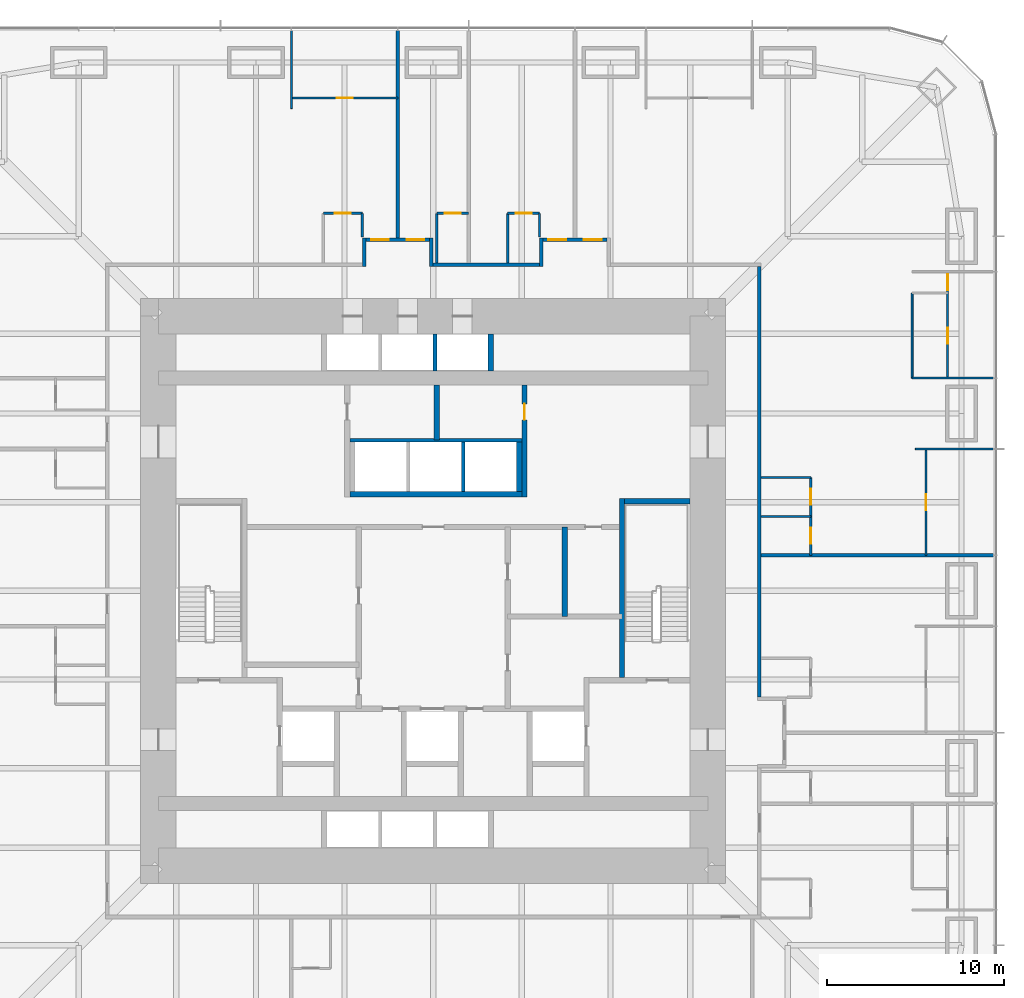
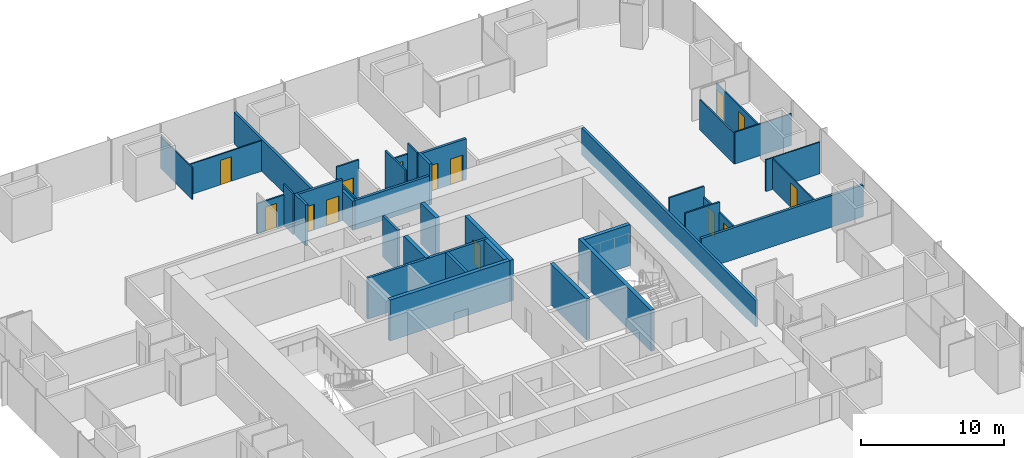
# One storey, part 15 of 17: 37 walls, 14 doors, 14 openings.
"""IFC4 building model written with IfcOpenShell, lengths in metres."""

import ifcopenshell
import ifcopenshell.guid

model = None  # the IFC model being written
_history = None  # IfcOwnerHistory: only IFC2X3 demands one
_inside = {}  # id of a spatial element -> (the spatial element, [elements in it])
_under = {}  # id of a project, library or spatial element -> (it, [spatial elements below it])
_declared = {}  # id of a project -> (the project, [libraries it declares])
_typed = {}  # id of a type object -> (the type object, [elements of that type])
_made_of = {}  # id of a material, layer set ... -> (it, [elements and type objects made of it])


def new_model(schema):
    """Start an empty IFC model of exactly this schema.

    Asked for "IFC4X3", IfcOpenShell would pick the latest addendum, in which some entities
    have other attributes; the version numbers below select the first issue.
    IFC2X3 requires an IfcOwnerHistory on every rooted entity: one is made here for all.
    """
    global model, _history
    if schema == "IFC4X3":
        model = ifcopenshell.file(schema_version=(4, 3, 0, 0))
    else:
        model = ifcopenshell.file(schema=schema)
    _inside.clear()
    _under.clear()
    _declared.clear()
    _typed.clear()
    _made_of.clear()
    _history = None
    if model.schema == "IFC2X3":
        org = make("IfcOrganization", Name="unknown")
        user = make(
            "IfcPersonAndOrganization",
            ThePerson=make("IfcPerson", FamilyName="unknown"),
            TheOrganization=org,
        )
        app = make(
            "IfcApplication",
            ApplicationDeveloper=org,
            Version="unknown",
            ApplicationFullName="unknown",
            ApplicationIdentifier="unknown",
        )
        _history = make(
            "IfcOwnerHistory",
            OwningUser=user,
            OwningApplication=app,
            ChangeAction="ADDED",
            CreationDate=0,
        )
    return model


def make(cls, **values):
    """One entity of the class cls with the attributes given. An attribute that is None is left unset."""
    return model.create_entity(
        cls, **{name: value for name, value in values.items() if value is not None}
    )


def rooted(cls, **values):
    """An entity with a GlobalId (a new one), such as an element, a storey or a relation."""
    return make(cls, GlobalId=ifcopenshell.guid.new(), OwnerHistory=_history, **values)


def si_unit(unit_type, name, prefix=None):
    """IfcSIUnit, for example si_unit("LENGTHUNIT", "METRE", prefix="MILLI")."""
    return make("IfcSIUnit", UnitType=unit_type, Prefix=prefix, Name=name)


def assignment(units):
    """IfcUnitAssignment: the units of a project."""
    return None if units is None else make("IfcUnitAssignment", Units=units)


def point(xyz):
    """IfcCartesianPoint."""
    return None if xyz is None else make("IfcCartesianPoint", Coordinates=xyz)


def direction(xyz):
    """IfcDirection."""
    return None if xyz is None else make("IfcDirection", DirectionRatios=xyz)


def frame(location, z_axis=None, x_axis=None):
    """IfcAxis2Placement3D, a coordinate frame: its origin and axes. An axis left out is left unset."""
    return make(
        "IfcAxis2Placement3D",
        Location=point(location),
        Axis=direction(z_axis),
        RefDirection=direction(x_axis),
    )


def frame_2d(location, x_axis=None):
    """IfcAxis2Placement2D, a coordinate frame in the plane: its origin and x axis."""
    return make(
        "IfcAxis2Placement2D", Location=point(location), RefDirection=direction(x_axis)
    )


def origin():
    """The frame at (0, 0, 0) with its axes left unset."""
    return frame((0.0, 0.0, 0.0))


def place(relative_to, where):
    """IfcLocalPlacement: puts the frame where relative to a parent placement (None: the world)."""
    return make(
        "IfcLocalPlacement", PlacementRelTo=relative_to, RelativePlacement=where
    )


def context(
    kind, dimensions, precision=None, world=None, true_north=None, identifier=None
):
    """IfcGeometricRepresentationContext, for example the 3D "Model" context."""
    return make(
        "IfcGeometricRepresentationContext",
        ContextIdentifier=identifier,
        ContextType=kind,
        CoordinateSpaceDimension=dimensions,
        Precision=precision,
        WorldCoordinateSystem=world,
        TrueNorth=true_north,
    )


def subcontext(parent, identifier, kind, view, scale=None):
    """IfcGeometricRepresentationSubContext, for example "Body" below "Model"."""
    return make(
        "IfcGeometricRepresentationSubContext",
        ContextIdentifier=identifier,
        ContextType=kind,
        ParentContext=parent,
        TargetScale=scale,
        TargetView=view,
    )


def project(units=None, contexts=None):
    """IfcProject with its units and contexts."""
    return rooted(
        "IfcProject",
        Name="project",
        RepresentationContexts=contexts,
        UnitsInContext=assignment(units),
    )


def spatial(cls, under=None, at=None, **own):
    """A site, building, storey or space (cls), placed at a placement, below another one or the project."""
    s = rooted(cls, ObjectPlacement=at, **own)
    if under is not None:
        _under.setdefault(under.id(), (under, []))[1].append(s)
    return s


def profile(cls, at=None, kind="AREA", **sizes):
    """A parametric profile (cls). Its sizes go by their IFC names, for example OverallWidth=200.0."""
    return make(cls, ProfileType=kind, Position=at, **sizes)


def rectangle(**sizes):
    """IfcRectangleProfileDef."""
    return profile("IfcRectangleProfileDef", **sizes)


def extrude(swept, where, along, depth):
    """IfcExtrudedAreaSolid: the profile swept, set in the frame where, extruded along a direction by depth."""
    return make(
        "IfcExtrudedAreaSolid",
        SweptArea=swept,
        Position=where,
        ExtrudedDirection=direction(along),
        Depth=depth,
    )


def shape(context_of_items, identifier, shape_type, items):
    """IfcShapeRepresentation: the items that make up one representation, for example the "Body"."""
    return make(
        "IfcShapeRepresentation",
        ContextOfItems=context_of_items,
        RepresentationIdentifier=identifier,
        RepresentationType=shape_type,
        Items=items,
    )


def material(Name=None, Category=None):
    """IfcMaterial."""
    return make("IfcMaterial", Name=Name, Category=Category)


def layer(
    of_material, thickness, ventilated=None, Name=None, Category=None, Priority=None
):
    """IfcMaterialLayer: one layer of a wall or slab, of a material (None: an air gap)."""
    return make(
        "IfcMaterialLayer",
        Material=of_material,
        LayerThickness=thickness,
        IsVentilated=ventilated,
        Name=Name,
        Category=Category,
        Priority=Priority,
    )


def layer_set(layers, Name=None):
    """IfcMaterialLayerSet."""
    return make("IfcMaterialLayerSet", MaterialLayers=layers, LayerSetName=Name)


def made_of(thing, what):
    """Note that an element or type object is made of a material, layer set ...; save() writes the relation."""
    if what is not None:
        _made_of.setdefault(what.id(), (what, []))[1].append(thing)
    return thing


def type_object(cls, material=None, **own):
    """A type object (cls), such as IfcWallType, which elements share."""
    return made_of(rooted(cls, **own), material)


def element(
    cls,
    number,
    at=None,
    inside=None,
    cuts=None,
    type_object=None,
    material=None,
    context=None,
    identifier="Body",
    shape_type=None,
    held_by="IfcProductDefinitionShape",
    body=None,
    shapes=None,
    **own,
):
    """One element of the class cls, such as IfcWall. Its Tag is "e" and its number.

    at: its placement. inside: the storey or other place that contains it. cuts: it is an
    opening in that element (IfcRelVoidsElement). A single representation is given by context,
    identifier, shape_type and body (its items); several are given by shapes. held_by: the class
    of the entity that holds the representations. save() writes the other relations.
    """
    e = rooted(cls, Tag="e%d" % number, ObjectPlacement=at, **own)
    if body is not None:
        shapes = [shape(context, identifier, shape_type, body)]
    if shapes is not None:
        e.Representation = make(held_by, Representations=shapes)
    if inside is not None:
        _inside.setdefault(inside.id(), (inside, []))[1].append(e)
    if cuts is not None:
        rooted(
            "IfcRelVoidsElement", RelatingBuildingElement=cuts, RelatedOpeningElement=e
        )
    if type_object is not None:
        _typed.setdefault(type_object.id(), (type_object, []))[1].append(e)
    return made_of(e, material)


def fill(opening, filler):
    """IfcRelFillsElement: the door or window that sits in an opening."""
    return rooted(
        "IfcRelFillsElement",
        RelatingOpeningElement=opening,
        RelatedBuildingElement=filler,
    )


def aggregate(whole, parts):
    """IfcRelAggregates: a whole, such as a stair, and the parts it consists of."""
    return rooted("IfcRelAggregates", RelatingObject=whole, RelatedObjects=parts)


def save(model, path):
    """Write the relations noted so far, then the file.

    IfcRelAggregates (storeys below a building ...), IfcRelContainedInSpatialStructure (elements
    in a storey), IfcRelDefinesByType, IfcRelAssociatesMaterial and IfcRelDeclares: one each for
    every whole, place, type object, material and project.
    """
    for whole, parts in _under.values():
        aggregate(whole, parts)
    for where, things in _inside.values():
        rooted(
            "IfcRelContainedInSpatialStructure",
            RelatedElements=things,
            RelatingStructure=where,
        )
    for kind, things in _typed.values():
        rooted("IfcRelDefinesByType", RelatedObjects=things, RelatingType=kind)
    for what, things in _made_of.values():
        rooted("IfcRelAssociatesMaterial", RelatedObjects=things, RelatingMaterial=what)
    for by, libraries in _declared.values():
        rooted("IfcRelDeclares", RelatingContext=by, RelatedDefinitions=libraries)
    model.write(path)


model = new_model("IFC4")

# Units and contexts
model_context = context("Model", 3, precision=1e-05, world=origin(), true_north=direction((0.0, 1.0)))
body_context = subcontext(model_context, "Body", "Model", "MODEL_VIEW")
ifc_project = project(units=[si_unit("LENGTHUNIT", "METRE"), si_unit("AREAUNIT", "SQUARE_METRE"), si_unit("VOLUMEUNIT", "CUBIC_METRE"), si_unit("PLANEANGLEUNIT", "RADIAN"), si_unit("MASSUNIT", "GRAM", prefix="KILO")], contexts=[model_context])

# Site, building, storey
site_placement = place(None, origin())
site = spatial("IfcSite", under=ifc_project, at=site_placement, CompositionType="ELEMENT")
building_placement = place(site_placement, origin())
building = spatial("IfcBuilding", under=site, at=building_placement, Name="Khuree Lantern Residences", CompositionType="ELEMENT")
storey_placement = place(building_placement, frame((0.0, 0.0, 47.25)))
storey = spatial("IfcBuildingStorey", under=building, at=storey_placement, Name="L11", CompositionType="ELEMENT", Elevation=47.25)

# Wall, openings, doors
ifc_material_1 = material(Name="Moisture-resistant gypsum board on steel studs", Category="steel")
ifc_layer_1 = layer(ifc_material_1, 0.125)
ifc_layer_set_1 = layer_set([ifc_layer_1], Name="BATHROOM WALL BTW125")
wall_type_1 = type_object("IfcWallType", Name="BATHROOM WALL BTW125", PredefinedType="PARTITIONING", material=ifc_layer_set_1)
wall_1_placement = place(storey_placement, frame((21.300048828125, 2.0, 0.0), z_axis=(0.0, 0.0, 1.0), x_axis=(0.0, 1.0, 0.0)))
wall_1 = element("IfcWall", 1, at=wall_1_placement, inside=storey, type_object=wall_type_1, Name="L11 BATHROOM WALL 02", PredefinedType="PARTITIONING", context=body_context, shape_type="SweptSolid", body=[
    extrude(rectangle(XDim=4.39990234375, YDim=0.125, at=frame_2d((2.199951171875, 0.0))), origin(), (0.0, 0.0, 1.0), 2.610107421875),
])
opening_1_placement = place(wall_1_placement, frame((0.64990234375, 0.0, 0.0)))
opening_1 = element("IfcOpeningElement", 2, at=opening_1_placement, cuts=wall_1, Name="Opening 11-030", PredefinedType="OPENING", context=body_context, shape_type="SweptSolid", body=[
    extrude(rectangle(XDim=0.89990234375, YDim=2.10009765625, at=frame_2d((0.449951171875, 1.050048828125))), frame((0.0, 0.072509765625, 0.0), z_axis=(0.0, -1.0, 0.0), x_axis=(1.0, 0.0, 0.0)), (0.0, 0.0, 1.0), 0.14501953125),
])
opening_2_placement = place(wall_1_placement, frame((2.85009765625, 0.0, 0.0)))
opening_2 = element("IfcOpeningElement", 3, at=opening_2_placement, cuts=wall_1, Name="Opening 11-031", PredefinedType="OPENING", context=body_context, shape_type="SweptSolid", body=[
    extrude(rectangle(XDim=0.89990234375, YDim=2.10009765625, at=frame_2d((0.449951171875, 1.050048828125))), frame((0.0, 0.072509765625, 0.0), z_axis=(0.0, -1.0, 0.0), x_axis=(1.0, 0.0, 0.0)), (0.0, 0.0, 1.0), 0.14501953125),
])
ifc_material_2 = material(Name="Timber door leaf in hardwood frame", Category="wood")
door_type_1 = type_object("IfcDoorType", Name="BATHROOM DOOR 900X2100", OperationType="SINGLE_SWING_LEFT", PredefinedType="DOOR", material=ifc_material_2)
door_1_placement = place(opening_1_placement, origin())
door_1 = element("IfcDoor", 4, at=door_1_placement, inside=storey, type_object=door_type_1, Name="Bathroom door 11-030", OperationType="SINGLE_SWING_LEFT", OverallHeight=2.10009765625, OverallWidth=0.89990234375, PredefinedType="DOOR", context=body_context, shape_type="SweptSolid", body=[
    extrude(rectangle(XDim=0.89990234375, YDim=2.10009765625, at=frame_2d((0.449951171875, 1.050048828125))), frame((0.0, 0.02490234375, 0.0), z_axis=(0.0, -1.0, 0.0), x_axis=(1.0, 0.0, 0.0)), (0.0, 0.0, 1.0), 0.050048828125),
])
fill(opening_1, door_1)
door_2_placement = place(opening_2_placement, origin())
door_2 = element("IfcDoor", 5, at=door_2_placement, inside=storey, type_object=door_type_1, Name="Bathroom door 11-031", OperationType="SINGLE_SWING_LEFT", OverallHeight=2.10009765625, OverallWidth=0.89990234375, PredefinedType="DOOR", context=body_context, shape_type="SweptSolid", body=[
    extrude(rectangle(XDim=0.89990234375, YDim=2.10009765625, at=frame_2d((0.449951171875, 1.050048828125))), frame((0.0, 0.02490234375, 0.0), z_axis=(0.0, -1.0, 0.0), x_axis=(1.0, 0.0, 0.0)), (0.0, 0.0, 1.0), 0.050048828125),
])
fill(opening_2, door_2)

# Walls
for number, where, z_axis, x_axis, name in (
    (6, (18.5, 4.199951171875, 0.0), (0.0, 0.0, 1.0), (1.0, 0.0, 0.0), "L11 BATHROOM WALL 02"),
    (7, (18.5, 6.39990234375, 0.0), (0.0, 0.0, 1.0), (1.0, 0.0, 0.0), "L11 BATHROOM WALL 02"),
):
    element("IfcWall", number, at=place(storey_placement, frame(where, z_axis=z_axis, x_axis=x_axis)), inside=storey, type_object=wall_type_1, Name=name, PredefinedType="PARTITIONING", context=body_context, shape_type="SweptSolid", body=[
        extrude(rectangle(XDim=2.800048828125, YDim=0.125, at=frame_2d((1.39990234375, 0.0))), origin(), (0.0, 0.0, 1.0), 3.5),
    ])

# Wall, opening, door
wall_2_placement = place(storey_placement, frame((6.0, 21.300048828125, 0.0), z_axis=(0.0, 0.0, 1.0), x_axis=(-1.0, 0.0, 0.0)))
wall_2 = element("IfcWall", 8, at=wall_2_placement, inside=storey, type_object=wall_type_1, Name="L11 BATHROOM WALL 03", PredefinedType="PARTITIONING", context=body_context, shape_type="SweptSolid", body=[
    extrude(rectangle(XDim=1.800048828125, YDim=0.125, at=frame_2d((0.89990234375, 0.0))), origin(), (0.0, 0.0, 1.0), 2.610107421875),
])
opening_3_placement = place(wall_2_placement, frame((0.449951171875, 0.0, 0.0)))
opening_3 = element("IfcOpeningElement", 9, at=opening_3_placement, cuts=wall_2, Name="Opening 11-033", PredefinedType="OPENING", context=body_context, shape_type="SweptSolid", body=[
    extrude(rectangle(XDim=0.89990234375, YDim=2.10009765625, at=frame_2d((0.449951171875, 1.050048828125))), frame((0.0, 0.072509765625, 0.0), z_axis=(0.0, -1.0, 0.0), x_axis=(1.0, 0.0, 0.0)), (0.0, 0.0, 1.0), 0.14501953125),
])
door_3_placement = place(opening_3_placement, origin())
door_3 = element("IfcDoor", 10, at=door_3_placement, inside=storey, type_object=door_type_1, Name="Bathroom door 11-033", OperationType="SINGLE_SWING_LEFT", OverallHeight=2.10009765625, OverallWidth=0.89990234375, PredefinedType="DOOR", context=body_context, shape_type="SweptSolid", body=[
    extrude(rectangle(XDim=0.89990234375, YDim=2.10009765625, at=frame_2d((0.449951171875, 1.050048828125))), frame((0.0, 0.02490234375, 0.0), z_axis=(0.0, -1.0, 0.0), x_axis=(1.0, 0.0, 0.0)), (0.0, 0.0, 1.0), 0.050048828125),
])
fill(opening_3, door_3)

# Walls
wall_3_placement = place(storey_placement, frame((6.0, 19.969970703125, 0.0), z_axis=(0.0, 0.0, 1.0), x_axis=(0.0, 1.0, 0.0)))
element("IfcWall", 11, at=wall_3_placement, inside=storey, type_object=wall_type_1, Name="L11 BATHROOM WALL 03", PredefinedType="PARTITIONING", context=body_context, shape_type="SweptSolid", body=[
    extrude(rectangle(XDim=1.330078125, YDim=0.125, at=frame_2d((0.6650390625, 0.0))), origin(), (0.0, 0.0, 1.0), 3.5),
])
wall_4_placement = place(storey_placement, frame((4.199951171875, 18.5, 0.0), z_axis=(0.0, 0.0, 1.0), x_axis=(0.0, 1.0, 0.0)))
element("IfcWall", 12, at=wall_4_placement, inside=storey, type_object=wall_type_1, Name="L11 BATHROOM WALL 03", PredefinedType="PARTITIONING", context=body_context, shape_type="SweptSolid", body=[
    extrude(rectangle(XDim=2.800048828125, YDim=0.125, at=frame_2d((1.39990234375, 0.0))), origin(), (0.0, 0.0, 1.0), 3.5),
])

# Wall, opening, door
wall_5_placement = place(storey_placement, frame((2.0, 21.300048828125, 0.0), z_axis=(0.0, 0.0, 1.0), x_axis=(-1.0, 0.0, 0.0)))
wall_5 = element("IfcWall", 13, at=wall_5_placement, inside=storey, type_object=wall_type_1, Name="L11 BATHROOM WALL 04", PredefinedType="PARTITIONING", context=body_context, shape_type="SweptSolid", body=[
    extrude(rectangle(XDim=1.800048828125, YDim=0.125, at=frame_2d((0.89990234375, 0.0))), origin(), (0.0, 0.0, 1.0), 3.5),
])
opening_4_placement = place(wall_5_placement, frame((0.449951171875, 0.0, 0.0)))
opening_4 = element("IfcOpeningElement", 14, at=opening_4_placement, cuts=wall_5, Name="Opening 11-035", PredefinedType="OPENING", context=body_context, shape_type="SweptSolid", body=[
    extrude(rectangle(XDim=0.89990234375, YDim=2.10009765625, at=frame_2d((0.449951171875, 1.050048828125))), frame((0.0, 0.072509765625, 0.0), z_axis=(0.0, -1.0, 0.0), x_axis=(1.0, 0.0, 0.0)), (0.0, 0.0, 1.0), 0.14501953125),
])
door_4_placement = place(opening_4_placement, origin())
door_4 = element("IfcDoor", 15, at=door_4_placement, inside=storey, type_object=door_type_1, Name="Bathroom door 11-035", OperationType="SINGLE_SWING_LEFT", OverallHeight=2.10009765625, OverallWidth=0.89990234375, PredefinedType="DOOR", context=body_context, shape_type="SweptSolid", body=[
    extrude(rectangle(XDim=0.89990234375, YDim=2.10009765625, at=frame_2d((0.449951171875, 1.050048828125))), frame((0.0, 0.02490234375, 0.0), z_axis=(0.0, -1.0, 0.0), x_axis=(1.0, 0.0, 0.0)), (0.0, 0.0, 1.0), 0.050048828125),
])
fill(opening_4, door_4)

# Wall
wall_6_placement = place(storey_placement, frame((0.199951171875, 18.5, 0.0), z_axis=(0.0, 0.0, 1.0), x_axis=(0.0, 1.0, 0.0)))
element("IfcWall", 16, at=wall_6_placement, inside=storey, type_object=wall_type_1, Name="L11 BATHROOM WALL 04", PredefinedType="PARTITIONING", context=body_context, shape_type="SweptSolid", body=[
    extrude(rectangle(XDim=2.800048828125, YDim=0.125, at=frame_2d((1.39990234375, 0.0))), origin(), (0.0, 0.0, 1.0), 2.491943359375),
])

# Wall, opening, door
wall_7_placement = place(storey_placement, frame((-4.0, 21.300048828125, 0.0), z_axis=(0.0, 0.0, 1.0), x_axis=(-1.0, 0.0, 0.0)))
wall_7 = element("IfcWall", 17, at=wall_7_placement, inside=storey, type_object=wall_type_1, Name="L11 BATHROOM WALL 05", PredefinedType="PARTITIONING", context=body_context, shape_type="SweptSolid", body=[
    extrude(rectangle(XDim=2.199951171875, YDim=0.125, at=frame_2d((1.10009765625, 0.0))), origin(), (0.0, 0.0, 1.0), 2.610107421875),
])
opening_5_placement = place(wall_7_placement, frame((0.64990234375, 0.0, 0.0)))
opening_5 = element("IfcOpeningElement", 18, at=opening_5_placement, cuts=wall_7, Name="Opening 11-040", PredefinedType="OPENING", context=body_context, shape_type="SweptSolid", body=[
    extrude(rectangle(XDim=0.89990234375, YDim=2.10009765625, at=frame_2d((0.449951171875, 1.050048828125))), frame((0.0, 0.072509765625, 0.0), z_axis=(0.0, -1.0, 0.0), x_axis=(1.0, 0.0, 0.0)), (0.0, 0.0, 1.0), 0.14501953125),
])
door_5_placement = place(opening_5_placement, origin())
door_5 = element("IfcDoor", 19, at=door_5_placement, inside=storey, type_object=door_type_1, Name="Bathroom door 11-040", OperationType="SINGLE_SWING_LEFT", OverallHeight=2.10009765625, OverallWidth=0.89990234375, PredefinedType="DOOR", context=body_context, shape_type="SweptSolid", body=[
    extrude(rectangle(XDim=0.89990234375, YDim=2.10009765625, at=frame_2d((0.449951171875, 1.050048828125))), frame((0.0, 0.02490234375, 0.0), z_axis=(0.0, -1.0, 0.0), x_axis=(1.0, 0.0, 0.0)), (0.0, 0.0, 1.0), 0.050048828125),
])
fill(opening_5, door_5)

# Walls
wall_8_placement = place(storey_placement, frame((-4.0, 19.969970703125, 0.0), z_axis=(0.0, 0.0, 1.0), x_axis=(0.0, 1.0, 0.0)))
element("IfcWall", 20, at=wall_8_placement, inside=storey, type_object=wall_type_1, Name="L11 BATHROOM WALL 05", PredefinedType="PARTITIONING", context=body_context, shape_type="SweptSolid", body=[
    extrude(rectangle(XDim=1.330078125, YDim=0.125, at=frame_2d((0.6650390625, 0.0))), origin(), (0.0, 0.0, 1.0), 3.5),
])
ifc_material_3 = material(Name="Dense concrete blockwork", Category="masonry")
ifc_layer_2 = layer(ifc_material_3, 0.300048828125)
ifc_layer_set_2 = layer_set([ifc_layer_2], Name="CORE PARTITION WALL CPW300 EI 120")
wall_type_2 = type_object("IfcWallType", Name="CORE PARTITION WALL CPW300 EI 120", PredefinedType="PARTITIONING", material=ifc_layer_set_2)
wall_9_placement = place(storey_placement, frame((-4.699951171875, 5.449951171875, 0.0), z_axis=(0.0, 0.0, 1.0), x_axis=(1.0, 0.0, 0.0)))
element("IfcWall", 21, at=wall_9_placement, inside=storey, type_object=wall_type_2, Name="L11 CORE WALL PHS", PredefinedType="PARTITIONING", context=body_context, shape_type="SweptSolid", body=[
    extrude(rectangle(XDim=9.699951171875, YDim=0.300048828125, at=frame_2d((4.85009765625, 0.0))), origin(), (0.0, 0.0, 1.0), 3.5),
])
wall_10_placement = place(storey_placement, frame((4.85009765625, 5.60009765625, 0.0), z_axis=(0.0, 0.0, 1.0), x_axis=(0.0, 1.0, 0.0)))
element("IfcWall", 22, at=wall_10_placement, inside=storey, type_object=wall_type_2, Name="L11 CORE WALL PHE", PredefinedType="PARTITIONING", context=body_context, shape_type="SweptSolid", body=[
    extrude(rectangle(XDim=2.7998046875, YDim=0.300048828125, at=frame_2d((1.39990234375, 0.0))), origin(), (0.0, 0.0, 1.0), 3.5),
])
wall_11_placement = place(storey_placement, frame((3.25, 12.39990234375, 0.0), z_axis=(0.0, 0.0, 1.0), x_axis=(0.0, 1.0, 0.0)))
element("IfcWall", 23, at=wall_11_placement, inside=storey, type_object=wall_type_2, Name="L11 CORE WALL PLE", PredefinedType="PARTITIONING", context=body_context, shape_type="SweptSolid", body=[
    extrude(rectangle(XDim=2.10009765625, YDim=0.300048828125, at=frame_2d((1.050048828125, 0.0))), origin(), (0.0, 0.0, 1.0), 3.5),
])
wall_12_placement = place(storey_placement, frame((7.425048828125, -1.449951171875, 0.0), z_axis=(0.0, 0.0, 1.0), x_axis=(0.0, 1.0, 0.0)))
element("IfcWall", 24, at=wall_12_placement, inside=storey, type_object=wall_type_2, Name="L11 CORE WALL EV", PredefinedType="PARTITIONING", context=body_context, shape_type="SweptSolid", body=[
    extrude(rectangle(XDim=5.050048828125, YDim=0.300048828125, at=frame_2d((2.52490234375, 0.0))), origin(), (0.0, 0.0, 1.0), 3.5),
])

# Wall, opening, door
wall_13_placement = place(storey_placement, frame((5.14990234375, 5.300048828125, 0.0), z_axis=(0.0, 0.0, 1.0), x_axis=(0.0, 1.0, 0.0)))
wall_13 = element("IfcWall", 25, at=wall_13_placement, inside=storey, type_object=wall_type_2, Name="L11 CORE WALL NE", PredefinedType="PARTITIONING", context=body_context, shape_type="SweptSolid", body=[
    extrude(rectangle(XDim=6.300048828125, YDim=0.300048828125, at=frame_2d((3.14990234375, 0.0))), origin(), (0.0, 0.0, 1.0), 3.5),
])
opening_6_placement = place(wall_13_placement, frame((4.35009765625, 0.0, 0.0)))
opening_6 = element("IfcOpeningElement", 26, at=opening_6_placement, cuts=wall_13, Name="Opening 11-022", PredefinedType="OPENING", context=body_context, shape_type="SweptSolid", body=[
    extrude(rectangle(XDim=0.89990234375, YDim=2.10009765625, at=frame_2d((0.449951171875, 1.050048828125))), frame((0.0, 0.16015625, 0.0), z_axis=(0.0, -1.0, 0.0), x_axis=(1.0, 0.0, 0.0)), (0.0, 0.0, 1.0), 0.320068359375),
])
door_type_2 = type_object("IfcDoorType", Name="DOOR 900X2100", OperationType="SINGLE_SWING_LEFT", PredefinedType="DOOR", material=ifc_material_2)
door_6_placement = place(opening_6_placement, origin())
door_6 = element("IfcDoor", 27, at=door_6_placement, inside=storey, type_object=door_type_2, Name="Refuse holding room door 11-022", OperationType="SINGLE_SWING_LEFT", OverallHeight=2.10009765625, OverallWidth=0.89990234375, PredefinedType="DOOR", context=body_context, shape_type="SweptSolid", body=[
    extrude(rectangle(XDim=0.89990234375, YDim=2.10009765625, at=frame_2d((0.449951171875, 1.050048828125))), frame((0.0, 0.02490234375, 0.0), z_axis=(0.0, -1.0, 0.0), x_axis=(1.0, 0.0, 0.0)), (0.0, 0.0, 1.0), 0.050048828125),
])
fill(opening_6, door_6)

# Walls
wall_14_placement = place(storey_placement, frame((0.199951171875, 8.5, 0.0), z_axis=(0.0, 0.0, 1.0), x_axis=(0.0, 1.0, 0.0)))
element("IfcWall", 28, at=wall_14_placement, inside=storey, type_object=wall_type_2, Name="L11 CORE WALL NX", PredefinedType="PARTITIONING", context=body_context, shape_type="SweptSolid", body=[
    extrude(rectangle(XDim=3.10009765625, YDim=0.300048828125, at=frame_2d((1.550048828125, 0.0))), origin(), (0.0, 0.0, 1.0), 3.5),
])
ifc_material_4 = material(Name="Gypsum board on steel studs", Category="steel")
ifc_layer_3 = layer(ifc_material_4, 0.199951171875)
ifc_layer_set_3 = layer_set([ifc_layer_3], Name="CORRIDOR WALL CRW200 EI 60")
wall_type_3 = type_object("IfcWallType", Name="CORRIDOR WALL CRW200 EI 60", PredefinedType="PARTITIONING", material=ifc_layer_set_3)
wall_15_placement = place(storey_placement, frame((18.39990234375, -6.0, 0.0), z_axis=(0.0, 0.0, 1.0), x_axis=(0.0, 1.0, 0.0)))
element("IfcWall", 29, at=wall_15_placement, inside=storey, type_object=wall_type_3, Name="L11 CORRIDOR WALL EAST 2", PredefinedType="PARTITIONING", context=body_context, shape_type="SweptSolid", body=[
    extrude(rectangle(XDim=24.300048828125, YDim=0.199951171875, at=frame_2d((12.14990234375, 0.0))), origin(), (0.0, 0.0, 1.0), 2.300048828125),
])
wall_16_placement = place(storey_placement, frame((-3.89990234375, 18.300048828125, 0.0), z_axis=(0.0, 0.0, 1.0), x_axis=(0.0, 1.0, 0.0)))
element("IfcWall", 30, at=wall_16_placement, inside=storey, type_object=wall_type_3, Name="L11 CORRIDOR ALCOVE WALL NORTH", PredefinedType="PARTITIONING", context=body_context, shape_type="SweptSolid", body=[
    extrude(rectangle(XDim=1.599853515625, YDim=0.199951171875, at=frame_2d((0.7998046875, 0.0))), origin(), (0.0, 0.0, 1.0), 3.5),
])
wall_17_placement = place(storey_placement, frame((-0.10009765625, 18.300048828125, 0.0), z_axis=(0.0, 0.0, 1.0), x_axis=(0.0, 1.0, 0.0)))
element("IfcWall", 31, at=wall_17_placement, inside=storey, type_object=wall_type_3, Name="L11 CORRIDOR ALCOVE WALL NORTH", PredefinedType="PARTITIONING", context=body_context, shape_type="SweptSolid", body=[
    extrude(rectangle(XDim=1.599853515625, YDim=0.199951171875, at=frame_2d((0.7998046875, 0.0))), origin(), (0.0, 0.0, 1.0), 2.491943359375),
])

# Wall, openings, doors
wall_18_placement = place(storey_placement, frame((-3.800048828125, 19.800048828125, 0.0), z_axis=(0.0, 0.0, 1.0), x_axis=(1.0, 0.0, 0.0)))
wall_18 = element("IfcWall", 32, at=wall_18_placement, inside=storey, type_object=wall_type_3, Name="L11 CORRIDOR ALCOVE WALL NORTH", PredefinedType="PARTITIONING", context=body_context, shape_type="SweptSolid", body=[
    extrude(rectangle(XDim=3.60009765625, YDim=0.199951171875, at=frame_2d((1.800048828125, 0.0))), origin(), (0.0, 0.0, 1.0), 3.5),
])
opening_7_placement = place(wall_18_placement, frame((2.300048828125, 0.0, 0.0)))
opening_7 = element("IfcOpeningElement", 33, at=opening_7_placement, cuts=wall_18, Name="Opening 11-036", PredefinedType="OPENING", context=body_context, shape_type="SweptSolid", body=[
    extrude(rectangle(XDim=1.0, YDim=2.199951171875, at=frame_2d((0.5, 1.10009765625))), frame((0.0, 0.10986328125, 0.0), z_axis=(0.0, -1.0, 0.0), x_axis=(1.0, 0.0, 0.0)), (0.0, 0.0, 1.0), 0.219970703125),
])
opening_8_placement = place(wall_18_placement, frame((0.300048828125, 0.0, 0.0)))
opening_8 = element("IfcOpeningElement", 34, at=opening_8_placement, cuts=wall_18, Name="Opening 11-041", PredefinedType="OPENING", context=body_context, shape_type="SweptSolid", body=[
    extrude(rectangle(XDim=1.0, YDim=2.199951171875, at=frame_2d((0.5, 1.10009765625))), frame((0.0, 0.10986328125, 0.0), z_axis=(0.0, -1.0, 0.0), x_axis=(1.0, 0.0, 0.0)), (0.0, 0.0, 1.0), 0.219970703125),
])
door_type_3 = type_object("IfcDoorType", Name="APARTMENT ENTRANCE DOOR 1000X2200 EI 30S", OperationType="SINGLE_SWING_LEFT", PredefinedType="DOOR", material=ifc_material_2)
door_7_placement = place(opening_7_placement, origin())
door_7 = element("IfcDoor", 35, at=door_7_placement, inside=storey, type_object=door_type_3, Name="Apartment 04 entrance door 11-036", OperationType="SINGLE_SWING_LEFT", OverallHeight=2.199951171875, OverallWidth=1.0, PredefinedType="DOOR", context=body_context, shape_type="SweptSolid", body=[
    extrude(rectangle(XDim=1.0, YDim=2.199951171875, at=frame_2d((0.5, 1.10009765625))), frame((0.0, 0.02490234375, 0.0), z_axis=(0.0, -1.0, 0.0), x_axis=(1.0, 0.0, 0.0)), (0.0, 0.0, 1.0), 0.050048828125),
])
fill(opening_7, door_7)
door_8_placement = place(opening_8_placement, origin())
door_8 = element("IfcDoor", 36, at=door_8_placement, inside=storey, type_object=door_type_3, Name="Apartment 05 entrance door 11-041", OperationType="SINGLE_SWING_LEFT", OverallHeight=2.199951171875, OverallWidth=1.0, PredefinedType="DOOR", context=body_context, shape_type="SweptSolid", body=[
    extrude(rectangle(XDim=1.0, YDim=2.199951171875, at=frame_2d((0.5, 1.10009765625))), frame((0.0, 0.02490234375, 0.0), z_axis=(0.0, -1.0, 0.0), x_axis=(1.0, 0.0, 0.0)), (0.0, 0.0, 1.0), 0.050048828125),
])
fill(opening_8, door_8)

# Walls
wall_19_placement = place(storey_placement, frame((0.0, 18.39990234375, 0.0), z_axis=(0.0, 0.0, 1.0), x_axis=(1.0, 0.0, 0.0)))
element("IfcWall", 37, at=wall_19_placement, inside=storey, type_object=wall_type_3, Name="L11 CORRIDOR WALL NORTH 2", PredefinedType="PARTITIONING", context=body_context, shape_type="SweptSolid", body=[
    extrude(rectangle(XDim=6.0, YDim=0.199951171875, at=frame_2d((3.0, 0.0))), origin(), (0.0, 0.0, 1.0), 2.491943359375),
])
wall_20_placement = place(storey_placement, frame((6.10009765625, 18.300048828125, 0.0), z_axis=(0.0, 0.0, 1.0), x_axis=(0.0, 1.0, 0.0)))
element("IfcWall", 38, at=wall_20_placement, inside=storey, type_object=wall_type_3, Name="L11 CORRIDOR ALCOVE WALL NORTH", PredefinedType="PARTITIONING", context=body_context, shape_type="SweptSolid", body=[
    extrude(rectangle(XDim=1.599853515625, YDim=0.199951171875, at=frame_2d((0.7998046875, 0.0))), origin(), (0.0, 0.0, 1.0), 3.5),
])

# Wall, openings, doors
wall_21_placement = place(storey_placement, frame((6.199951171875, 19.800048828125, 0.0), z_axis=(0.0, 0.0, 1.0), x_axis=(1.0, 0.0, 0.0)))
wall_21 = element("IfcWall", 39, at=wall_21_placement, inside=storey, type_object=wall_type_3, Name="L11 CORRIDOR ALCOVE WALL NORTH", PredefinedType="PARTITIONING", context=body_context, shape_type="SweptSolid", body=[
    extrude(rectangle(XDim=3.60009765625, YDim=0.199951171875, at=frame_2d((1.800048828125, 0.0))), origin(), (0.0, 0.0, 1.0), 3.5),
])
opening_9_placement = place(wall_21_placement, frame((2.300048828125, 0.0, 0.0)))
opening_9 = element("IfcOpeningElement", 40, at=opening_9_placement, cuts=wall_21, Name="Opening 11-032", PredefinedType="OPENING", context=body_context, shape_type="SweptSolid", body=[
    extrude(rectangle(XDim=1.0, YDim=2.199951171875, at=frame_2d((0.5, 1.10009765625))), frame((0.0, 0.10986328125, 0.0), z_axis=(0.0, -1.0, 0.0), x_axis=(1.0, 0.0, 0.0)), (0.0, 0.0, 1.0), 0.219970703125),
])
opening_10_placement = place(wall_21_placement, frame((0.300048828125, 0.0, 0.0)))
opening_10 = element("IfcOpeningElement", 41, at=opening_10_placement, cuts=wall_21, Name="Opening 11-034", PredefinedType="OPENING", context=body_context, shape_type="SweptSolid", body=[
    extrude(rectangle(XDim=1.0, YDim=2.199951171875, at=frame_2d((0.5, 1.10009765625))), frame((0.0, 0.10986328125, 0.0), z_axis=(0.0, -1.0, 0.0), x_axis=(1.0, 0.0, 0.0)), (0.0, 0.0, 1.0), 0.219970703125),
])
door_9_placement = place(opening_9_placement, origin())
door_9 = element("IfcDoor", 42, at=door_9_placement, inside=storey, type_object=door_type_3, Name="Apartment 02 entrance door 11-032", OperationType="SINGLE_SWING_LEFT", OverallHeight=2.199951171875, OverallWidth=1.0, PredefinedType="DOOR", context=body_context, shape_type="SweptSolid", body=[
    extrude(rectangle(XDim=1.0, YDim=2.199951171875, at=frame_2d((0.5, 1.10009765625))), frame((0.0, 0.02490234375, 0.0), z_axis=(0.0, -1.0, 0.0), x_axis=(1.0, 0.0, 0.0)), (0.0, 0.0, 1.0), 0.050048828125),
])
fill(opening_9, door_9)
door_10_placement = place(opening_10_placement, origin())
door_10 = element("IfcDoor", 43, at=door_10_placement, inside=storey, type_object=door_type_3, Name="Apartment 03 entrance door 11-034", OperationType="SINGLE_SWING_LEFT", OverallHeight=2.199951171875, OverallWidth=1.0, PredefinedType="DOOR", context=body_context, shape_type="SweptSolid", body=[
    extrude(rectangle(XDim=1.0, YDim=2.199951171875, at=frame_2d((0.5, 1.10009765625))), frame((0.0, 0.02490234375, 0.0), z_axis=(0.0, -1.0, 0.0), x_axis=(1.0, 0.0, 0.0)), (0.0, 0.0, 1.0), 0.050048828125),
])
fill(opening_10, door_10)

# Walls
ifc_layer_4 = layer(ifc_material_4, 0.199951171875)
ifc_layer_set_4 = layer_set([ifc_layer_4], Name="DEMISING WALL DMW200 EI 90")
wall_type_4 = type_object("IfcWallType", Name="DEMISING WALL DMW200 EI 90", PredefinedType="PARTITIONING", material=ifc_layer_set_4)
wall_22_placement = place(storey_placement, frame((18.5, 2.0, 0.0), z_axis=(0.0, 0.0, 1.0), x_axis=(1.0, 0.0, 0.0)))
element("IfcWall", 44, at=wall_22_placement, inside=storey, type_object=wall_type_4, Name="L11 DEMISING WALL 02", PredefinedType="PARTITIONING", context=body_context, shape_type="SweptSolid", body=[
    extrude(rectangle(XDim=13.10009765625, YDim=0.199951171875, at=frame_2d((6.550048828125, 0.0))), origin(), (0.0, 0.0, 1.0), 2.7099609375),
])
wall_23_placement = place(storey_placement, frame((-2.0, 19.89990234375, 0.0), z_axis=(0.0, 0.0, 1.0), x_axis=(0.0, 1.0, 0.0)))
element("IfcWall", 45, at=wall_23_placement, inside=storey, type_object=wall_type_4, Name="L11 DEMISING WALL 05", PredefinedType="PARTITIONING", context=body_context, shape_type="SweptSolid", body=[
    extrude(rectangle(XDim=11.7001953125, YDim=0.199951171875, at=frame_2d((5.85009765625, 0.0))), origin(), (0.0, 0.0, 1.0), 2.7099609375),
])
ifc_layer_5 = layer(ifc_material_4, 0.10009765625)
ifc_layer_set_5 = layer_set([ifc_layer_5], Name="PARTITION PT100")
wall_type_5 = type_object("IfcWallType", Name="PARTITION PT100", PredefinedType="PARTITIONING", material=ifc_layer_set_5)
wall_24_placement = place(storey_placement, frame((27.199951171875, 8.0, 0.0), z_axis=(0.0, 0.0, 1.0), x_axis=(1.0, 0.0, 0.0)))
element("IfcWall", 46, at=wall_24_placement, inside=storey, type_object=wall_type_5, Name="L11 PARTITION 02", PredefinedType="PARTITIONING", context=body_context, shape_type="SweptSolid", body=[
    extrude(rectangle(XDim=4.400146484375, YDim=0.10009765625, at=frame_2d((2.2001953125, 0.0))), origin(), (0.0, 0.0, 1.0), 2.7099609375),
])
wall_25_placement = place(storey_placement, frame((27.0166015625, 12.0, 0.0), z_axis=(0.0, 0.0, 1.0), x_axis=(1.0, 0.0, 0.0)))
element("IfcWall", 47, at=wall_25_placement, inside=storey, type_object=wall_type_5, Name="L11 PARTITION 02", PredefinedType="PARTITIONING", context=body_context, shape_type="SweptSolid", body=[
    extrude(rectangle(XDim=4.58349609375, YDim=0.10009765625, at=frame_2d((2.291748046875, 0.0))), origin(), (0.0, 0.0, 1.0), 2.7099609375),
])
wall_26_placement = place(storey_placement, frame((-8.0, 27.199951171875, 0.0), z_axis=(0.0, 0.0, 1.0), x_axis=(0.0, 1.0, 0.0)))
element("IfcWall", 48, at=wall_26_placement, inside=storey, type_object=wall_type_5, Name="L11 PARTITION 05", PredefinedType="PARTITIONING", context=body_context, shape_type="SweptSolid", body=[
    extrude(rectangle(XDim=4.400146484375, YDim=0.10009765625, at=frame_2d((2.2001953125, 0.0))), origin(), (0.0, 0.0, 1.0), 2.7099609375),
])

# Wall, opening, door
wall_27_placement = place(storey_placement, frame((27.800048828125, 2.0, 0.0), z_axis=(0.0, 0.0, 1.0), x_axis=(0.0, 1.0, 0.0)))
wall_27 = element("IfcWall", 49, at=wall_27_placement, inside=storey, type_object=wall_type_5, Name="L11 PARTITION 02", PredefinedType="PARTITIONING", context=body_context, shape_type="SweptSolid", body=[
    extrude(rectangle(XDim=6.0, YDim=0.10009765625, at=frame_2d((3.0, 0.0))), origin(), (0.0, 0.0, 1.0), 2.610107421875),
])
opening_11_placement = place(wall_27_placement, frame((2.550048828125, 0.0, 0.0)))
opening_11 = element("IfcOpeningElement", 50, at=opening_11_placement, cuts=wall_27, Name="Opening 11-026", PredefinedType="OPENING", context=body_context, shape_type="SweptSolid", body=[
    extrude(rectangle(XDim=0.89990234375, YDim=2.10009765625, at=frame_2d((0.449951171875, 1.050048828125))), frame((0.0, 0.06005859375, 0.0), z_axis=(0.0, -1.0, 0.0), x_axis=(1.0, 0.0, 0.0)), (0.0, 0.0, 1.0), 0.1201171875),
])
door_type_4 = type_object("IfcDoorType", Name="BEDROOM DOOR 900X2100", OperationType="SINGLE_SWING_LEFT", PredefinedType="DOOR", material=ifc_material_2)
door_11_placement = place(opening_11_placement, origin())
door_11 = element("IfcDoor", 51, at=door_11_placement, inside=storey, type_object=door_type_4, Name="Bedroom door 11-026", OperationType="SINGLE_SWING_LEFT", OverallHeight=2.10009765625, OverallWidth=0.89990234375, PredefinedType="DOOR", context=body_context, shape_type="SweptSolid", body=[
    extrude(rectangle(XDim=0.89990234375, YDim=2.10009765625, at=frame_2d((0.449951171875, 1.050048828125))), frame((0.0, 0.02490234375, 0.0), z_axis=(0.0, -1.0, 0.0), x_axis=(1.0, 0.0, 0.0)), (0.0, 0.0, 1.0), 0.050048828125),
])
fill(opening_11, door_11)

# Wall, openings, doors
wall_28_placement = place(storey_placement, frame((29.0166015625, 12.0, 0.0), z_axis=(0.0, 0.0, 1.0), x_axis=(0.0, 1.0, 0.0)))
wall_28 = element("IfcWall", 52, at=wall_28_placement, inside=storey, type_object=wall_type_5, Name="L11 PARTITION 02", PredefinedType="PARTITIONING", context=body_context, shape_type="SweptSolid", body=[
    extrude(rectangle(XDim=6.0, YDim=0.10009765625, at=frame_2d((3.0, 0.0))), origin(), (0.0, 0.0, 1.0), 2.610107421875),
])
opening_12_placement = place(wall_28_placement, frame((4.949951171875, 0.0, 0.0)))
opening_12 = element("IfcOpeningElement", 53, at=opening_12_placement, cuts=wall_28, Name="Opening 11-027", PredefinedType="OPENING", context=body_context, shape_type="SweptSolid", body=[
    extrude(rectangle(XDim=0.89990234375, YDim=2.10009765625, at=frame_2d((0.449951171875, 1.050048828125))), frame((0.0, 0.06005859375, 0.0), z_axis=(0.0, -1.0, 0.0), x_axis=(1.0, 0.0, 0.0)), (0.0, 0.0, 1.0), 0.1201171875),
])
opening_13_placement = place(wall_28_placement, frame((1.949951171875, 0.0, 0.0)))
opening_13 = element("IfcOpeningElement", 54, at=opening_13_placement, cuts=wall_28, Name="Opening 11-028", PredefinedType="OPENING", context=body_context, shape_type="SweptSolid", body=[
    extrude(rectangle(XDim=0.89990234375, YDim=2.10009765625, at=frame_2d((0.449951171875, 1.050048828125))), frame((0.0, 0.06005859375, 0.0), z_axis=(0.0, -1.0, 0.0), x_axis=(1.0, 0.0, 0.0)), (0.0, 0.0, 1.0), 0.1201171875),
])
door_12_placement = place(opening_12_placement, origin())
door_12 = element("IfcDoor", 55, at=door_12_placement, inside=storey, type_object=door_type_4, Name="Bedroom door 11-027", OperationType="SINGLE_SWING_LEFT", OverallHeight=2.10009765625, OverallWidth=0.89990234375, PredefinedType="DOOR", context=body_context, shape_type="SweptSolid", body=[
    extrude(rectangle(XDim=0.89990234375, YDim=2.10009765625, at=frame_2d((0.449951171875, 1.050048828125))), frame((0.0, 0.02490234375, 0.0), z_axis=(0.0, -1.0, 0.0), x_axis=(1.0, 0.0, 0.0)), (0.0, 0.0, 1.0), 0.050048828125),
])
fill(opening_12, door_12)
door_13_placement = place(opening_13_placement, origin())
door_13 = element("IfcDoor", 56, at=door_13_placement, inside=storey, type_object=door_type_2, Name="Wardrobe door 11-028", OperationType="SINGLE_SWING_LEFT", OverallHeight=2.10009765625, OverallWidth=0.89990234375, PredefinedType="DOOR", context=body_context, shape_type="SweptSolid", body=[
    extrude(rectangle(XDim=0.89990234375, YDim=2.10009765625, at=frame_2d((0.449951171875, 1.050048828125))), frame((0.0, 0.02490234375, 0.0), z_axis=(0.0, -1.0, 0.0), x_axis=(1.0, 0.0, 0.0)), (0.0, 0.0, 1.0), 0.050048828125),
])
fill(opening_13, door_13)

# Wall
wall_29_placement = place(storey_placement, frame((27.0166015625, 12.0, 0.0), z_axis=(0.0, 0.0, 1.0), x_axis=(0.0, 1.0, 0.0)))
element("IfcWall", 57, at=wall_29_placement, inside=storey, type_object=wall_type_5, Name="L11 PARTITION 02", PredefinedType="PARTITIONING", context=body_context, shape_type="SweptSolid", body=[
    extrude(rectangle(XDim=4.800048828125, YDim=0.10009765625, at=frame_2d((2.39990234375, 0.0))), origin(), (0.0, 0.0, 1.0), 2.610107421875),
])

# Wall, opening, door
wall_30_placement = place(storey_placement, frame((-2.0, 27.800048828125, 0.0), z_axis=(0.0, 0.0, 1.0), x_axis=(-1.0, 0.0, 0.0)))
wall_30 = element("IfcWall", 58, at=wall_30_placement, inside=storey, type_object=wall_type_5, Name="L11 PARTITION 05", PredefinedType="PARTITIONING", context=body_context, shape_type="SweptSolid", body=[
    extrude(rectangle(XDim=6.0, YDim=0.10009765625, at=frame_2d((3.0, 0.0))), origin(), (0.0, 0.0, 1.0), 2.610107421875),
])
opening_14_placement = place(wall_30_placement, frame((2.550048828125, 0.0, 0.0)))
opening_14 = element("IfcOpeningElement", 59, at=opening_14_placement, cuts=wall_30, Name="Opening 11-037", PredefinedType="OPENING", context=body_context, shape_type="SweptSolid", body=[
    extrude(rectangle(XDim=0.89990234375, YDim=2.10009765625, at=frame_2d((0.449951171875, 1.050048828125))), frame((0.0, 0.06005859375, 0.0), z_axis=(0.0, -1.0, 0.0), x_axis=(1.0, 0.0, 0.0)), (0.0, 0.0, 1.0), 0.1201171875),
])
door_14_placement = place(opening_14_placement, origin())
door_14 = element("IfcDoor", 60, at=door_14_placement, inside=storey, type_object=door_type_4, Name="Bedroom door 11-037", OperationType="SINGLE_SWING_LEFT", OverallHeight=2.10009765625, OverallWidth=0.89990234375, PredefinedType="DOOR", context=body_context, shape_type="SweptSolid", body=[
    extrude(rectangle(XDim=0.89990234375, YDim=2.10009765625, at=frame_2d((0.449951171875, 1.050048828125))), frame((0.0, 0.02490234375, 0.0), z_axis=(0.0, -1.0, 0.0), x_axis=(1.0, 0.0, 0.0)), (0.0, 0.0, 1.0), 0.050048828125),
])
fill(opening_14, door_14)

# Walls
ifc_layer_6 = layer(ifc_material_3, 0.199951171875)
ifc_layer_set_6 = layer_set([ifc_layer_6], Name="SHAFT WALL SHW200 EI 120")
wall_type_6 = type_object("IfcWallType", Name="SHAFT WALL SHW200 EI 120", PredefinedType="PARTITIONING", material=ifc_layer_set_6)
wall_31_placement = place(storey_placement, frame((-4.699951171875, 8.5, 0.0), z_axis=(0.0, 0.0, 1.0), x_axis=(1.0, 0.0, 0.0)))
element("IfcWall", 61, at=wall_31_placement, inside=storey, type_object=wall_type_6, Name="L11 CORE WALL PHN", PredefinedType="PARTITIONING", context=body_context, shape_type="SweptSolid", body=[
    extrude(rectangle(XDim=9.699951171875, YDim=0.199951171875, at=frame_2d((4.85009765625, 0.0))), origin(), (0.0, 0.0, 1.0), 3.5),
])
wall_32_placement = place(storey_placement, frame((1.699951171875, 5.60009765625, 0.0), z_axis=(0.0, 0.0, 1.0), x_axis=(0.0, 1.0, 0.0)))
element("IfcWall", 62, at=wall_32_placement, inside=storey, type_object=wall_type_6, Name="L11 CORE WALL PHD2", PredefinedType="PARTITIONING", context=body_context, shape_type="SweptSolid", body=[
    extrude(rectangle(XDim=2.7998046875, YDim=0.199951171875, at=frame_2d((1.39990234375, 0.0))), origin(), (0.0, 0.0, 1.0), 3.5),
])
wall_33_placement = place(storey_placement, frame((0.10009765625, 12.39990234375, 0.0), z_axis=(0.0, 0.0, 1.0), x_axis=(0.0, 1.0, 0.0)))
element("IfcWall", 63, at=wall_33_placement, inside=storey, type_object=wall_type_6, Name="L11 CORE WALL PLD2", PredefinedType="PARTITIONING", context=body_context, shape_type="SweptSolid", body=[
    extrude(rectangle(XDim=2.10009765625, YDim=0.199951171875, at=frame_2d((1.050048828125, 0.0))), origin(), (0.0, 0.0, 1.0), 3.5),
])
ifc_material_5 = material(Name="Concrete C50/60", Category="concrete")
ifc_layer_7 = layer(ifc_material_5, 0.300048828125)
ifc_layer_set_7 = layer_set([ifc_layer_7], Name="STAIR WALL SRW300 C50/60 REI 240")
wall_type_7 = type_object("IfcWallType", Name="STAIR WALL SRW300 C50/60 REI 240", PredefinedType="SOLIDWALL", material=ifc_layer_set_7)
wall_34_placement = place(storey_placement, frame((10.64990234375, -4.89990234375, 0.0), z_axis=(0.0, 0.0, 1.0), x_axis=(0.0, 1.0, 0.0)))
element("IfcWall", 64, at=wall_34_placement, inside=storey, type_object=wall_type_7, Name="L11 STAIR WALL ST2E", PredefinedType="SOLIDWALL", context=body_context, shape_type="SweptSolid", body=[
    extrude(rectangle(XDim=10.099853515625, YDim=0.300048828125, at=frame_2d((5.0498046875, 0.0))), origin(), (0.0, 0.0, 1.0), 3.5),
])
wall_35_placement = place(storey_placement, frame((14.5, 5.050048828125, 0.0), z_axis=(0.0, 0.0, 1.0), x_axis=(-1.0, 0.0, 0.0)))
element("IfcWall", 65, at=wall_35_placement, inside=storey, type_object=wall_type_7, Name="L11 STAIR WALL ST2N", PredefinedType="SOLIDWALL", context=body_context, shape_type="SweptSolid", body=[
    extrude(rectangle(XDim=3.699951171875, YDim=0.300048828125, at=frame_2d((1.85009765625, 0.0))), origin(), (0.0, 0.0, 1.0), 3.5),
])

save(model, "model.ifc")
